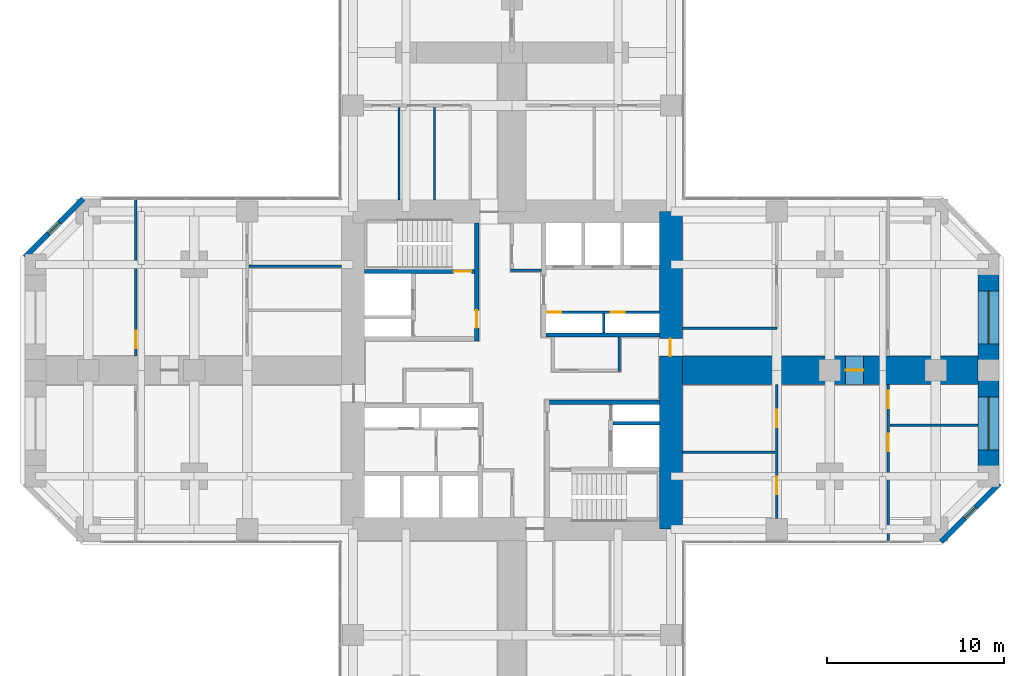
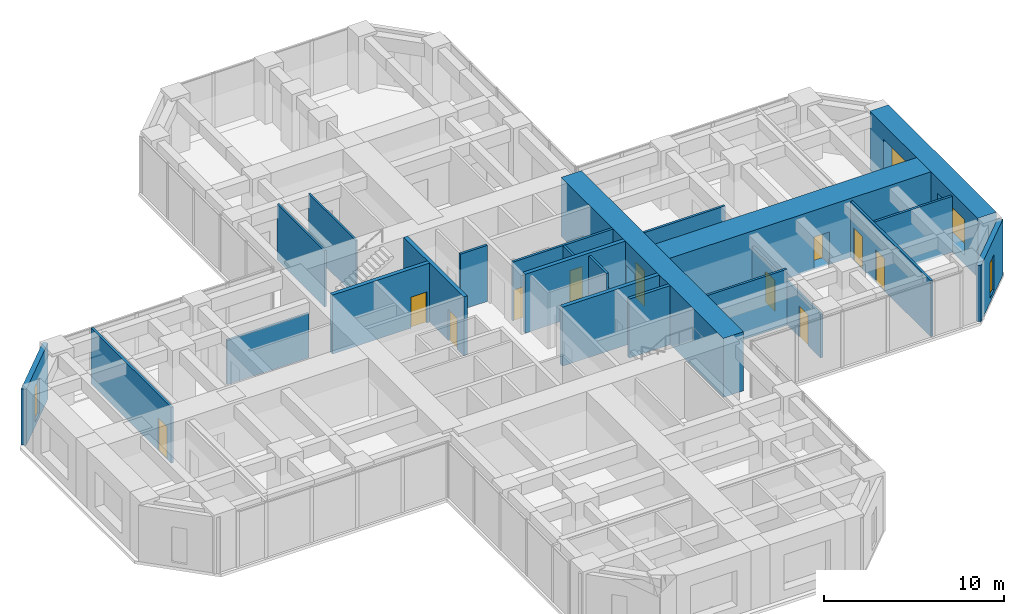
# One storey, part 10 of 13: 23 walls, 11 doors, 4 windows, 15 openings.
"""IFC4 building model written with IfcOpenShell, lengths in metres."""

from ifc_helpers import new_model, si_unit, direction, frame, frame_2d, origin, place, context, subcontext, project, spatial, rectangle, hollow_rectangle, extrude, material, layer, layer_set, constituent, constituent_set, type_object, element, fill, save


model = new_model("IFC4")

# Units and contexts
model_context = context("Model", 3, precision=1e-05, world=origin(), true_north=direction((0.0, 1.0)))
body_context = subcontext(model_context, "Body", "Model", "MODEL_VIEW")
ifc_project = project(units=[si_unit("LENGTHUNIT", "METRE"), si_unit("AREAUNIT", "SQUARE_METRE"), si_unit("VOLUMEUNIT", "CUBIC_METRE"), si_unit("PLANEANGLEUNIT", "RADIAN"), si_unit("MASSUNIT", "GRAM", prefix="KILO")], contexts=[model_context])

# Site, building, storey
site_placement = place(None, origin())
site = spatial("IfcSite", under=ifc_project, at=site_placement, CompositionType="ELEMENT")
building_placement = place(site_placement, origin())
building = spatial("IfcBuilding", under=site, at=building_placement, Name="Torre Cruceta", CompositionType="ELEMENT")
storey_placement = place(building_placement, frame((0.0, 0.0, 23.5)))
storey = spatial("IfcBuildingStorey", under=building, at=storey_placement, Name="L05", CompositionType="ELEMENT", Elevation=23.5)

# Wall
ifc_material_1 = material(Name="Concrete G60 (fck 60 MPa)", Category="concrete")
ifc_layer_1 = layer(ifc_material_1, 0.25)
ifc_layer_set_1 = layer_set([ifc_layer_1], Name="Concrete G60 (fck 60 MPa)")
wall_type_1 = type_object("IfcWallType", Name="CORE INNER WALL 250 G60", PredefinedType="SHEAR", material=ifc_layer_set_1)
wall_1_placement = place(storey_placement, frame((1.925048828125, 2.0, 0.0), z_axis=(0.0, 0.0, 1.0), x_axis=(1.0, 0.0, 0.0)))
element("IfcWall", 1, at=wall_1_placement, inside=storey, type_object=wall_type_1, Name="CW4 L05 NE-CV", PredefinedType="SHEAR", context=body_context, shape_type="SweptSolid", body=[
    extrude(rectangle(XDim=6.425048828125, YDim=0.25, at=frame_2d((3.21240234375, 0.0))), origin(), (0.0, 0.0, 1.0), 4.0),
])

# Wall, opening, door
wall_2_placement = place(storey_placement, frame((-2.0, 1.675048828125, 0.0), z_axis=(0.0, 0.0, 1.0), x_axis=(0.0, 1.0, 0.0)))
wall_2 = element("IfcWall", 2, at=wall_2_placement, inside=storey, type_object=wall_type_1, Name="CW4 L05 NW-CU", PredefinedType="SHEAR", context=body_context, shape_type="SweptSolid", body=[
    extrude(rectangle(XDim=6.675048828125, YDim=0.25, at=frame_2d((3.33740234375, 0.0))), origin(), (0.0, 0.0, 1.0), 4.0),
])
opening_1_placement = place(wall_2_placement, frame((0.72509765625, 0.0, 0.0)))
opening_1 = element("IfcOpeningElement", 3, at=opening_1_placement, cuts=wall_2, Name="Opening D3", PredefinedType="OPENING", context=body_context, shape_type="SweptSolid", body=[
    extrude(rectangle(XDim=1.0, YDim=2.10009765625, at=frame_2d((0.5, 1.050048828125))), frame((0.0, 0.135009765625, 0.0), z_axis=(0.0, -1.0, 0.0), x_axis=(1.0, 0.0, 0.0)), (0.0, 0.0, 1.0), 0.27001953125),
])
ifc_material_2 = material(Name="Steel DX51D", Category="steel")
ifc_constituent_1 = constituent(ifc_material_2, Name="Leaf and frame")
ifc_material_3 = material(Name="Polyester powder coating", Category="paint")
ifc_constituent_2 = constituent(ifc_material_3, Name="Finish")
ifc_constituent_set_1 = constituent_set(constituents=[ifc_constituent_1, ifc_constituent_2], Name="Steel fire door")
door_type_1 = type_object("IfcDoorType", Name="FIRE DOOR 1000X2100", OperationType="SINGLE_SWING_LEFT", PredefinedType="DOOR", material=ifc_constituent_set_1)
door_1_placement = place(opening_1_placement, origin())
door_1 = element("IfcDoor", 4, at=door_1_placement, inside=storey, type_object=door_type_1, Name="D3 L05 NW-LOBBY", OperationType="SINGLE_SWING_LEFT", OverallHeight=2.10009765625, OverallWidth=1.0, PredefinedType="DOOR", context=body_context, shape_type="SweptSolid", body=[
    extrude(rectangle(XDim=1.0, YDim=2.10009765625, at=frame_2d((0.5, 1.050048828125))), frame((0.0, 0.02490234375, 0.0), z_axis=(0.0, -1.0, 0.0), x_axis=(1.0, 0.0, 0.0)), (0.0, 0.0, 1.0), 0.050048828125),
])
fill(opening_1, door_1)

wall_3_placement = place(storey_placement, frame((-2.125, 5.60009765625, 0.0), z_axis=(0.0, 0.0, 1.0), x_axis=(-1.0, 0.0, 0.0)))
wall_3 = element("IfcWall", 5, at=wall_3_placement, inside=storey, type_object=wall_type_1, Name="CW4 L05 NW-SV", PredefinedType="SHEAR", context=body_context, shape_type="SweptSolid", body=[
    extrude(rectangle(XDim=6.22509765625, YDim=0.25, at=frame_2d((3.112548828125, 0.0))), origin(), (0.0, 0.0, 1.0), 4.0),
])
opening_2_placement = place(wall_3_placement, frame((0.175048828125, 0.0, 0.0)))
opening_2 = element("IfcOpeningElement", 6, at=opening_2_placement, cuts=wall_3, Name="Opening D3", PredefinedType="OPENING", context=body_context, shape_type="SweptSolid", body=[
    extrude(rectangle(XDim=1.0, YDim=2.10009765625, at=frame_2d((0.5, 1.050048828125))), frame((0.0, 0.135009765625, 0.0), z_axis=(0.0, -1.0, 0.0), x_axis=(1.0, 0.0, 0.0)), (0.0, 0.0, 1.0), 0.27001953125),
])
door_2_placement = place(opening_2_placement, frame((1.0, 0.0, 0.0), z_axis=(0.0, 0.0, 1.0), x_axis=(-1.0, 0.0, 0.0)))
door_2 = element("IfcDoor", 7, at=door_2_placement, inside=storey, type_object=door_type_1, Name="D3 L05 NW-STAIR", OperationType="SINGLE_SWING_RIGHT", OverallHeight=2.10009765625, OverallWidth=1.0, PredefinedType="DOOR", context=body_context, shape_type="SweptSolid", body=[
    extrude(rectangle(XDim=1.0, YDim=2.10009765625, at=frame_2d((0.5, 1.050048828125))), frame((0.0, 0.025146484375, 0.0), z_axis=(0.0, -1.0, 0.0), x_axis=(1.0, 0.0, 0.0)), (0.0, 0.0, 1.0), 0.050048828125),
])
fill(opening_2, door_2)

# Wall
wall_4_placement = place(storey_placement, frame((2.125, -1.800048828125, 0.0), z_axis=(0.0, 0.0, 1.0), x_axis=(1.0, 0.0, 0.0)))
element("IfcWall", 8, at=wall_4_placement, inside=storey, type_object=wall_type_1, Name="CW4 L05 SE-CV", PredefinedType="SHEAR", context=body_context, shape_type="SweptSolid", body=[
    extrude(rectangle(XDim=6.22509765625, YDim=0.25, at=frame_2d((3.112548828125, 0.0))), origin(), (0.0, 0.0, 1.0), 4.0),
])

# Wall, opening, door
ifc_material_4 = material(Name="Concrete G60 (fck 60 MPa)", Category="concrete")
ifc_layer_2 = layer(ifc_material_4, 1.300048828125)
ifc_layer_set_2 = layer_set([ifc_layer_2], Name="Concrete G60 (fck 60 MPa)")
wall_type_2 = type_object("IfcWallType", Name="CORE WALL 1300 G60", PredefinedType="SHEAR", material=ifc_layer_set_2)
wall_5_placement = place(storey_placement, frame((9.0, -9.0, 0.0), z_axis=(0.0, 0.0, 1.0), x_axis=(0.0, 1.0, 0.0)))
wall_5 = element("IfcWall", 9, at=wall_5_placement, inside=storey, type_object=wall_type_2, Name="CW1 L05 CW-E", PredefinedType="SHEAR", context=body_context, shape_type="SweptSolid", body=[
    extrude(rectangle(XDim=18.0, YDim=1.300048828125, at=frame_2d((9.0, 0.0))), origin(), (0.0, 0.0, 1.0), 4.0),
])
opening_3_placement = place(wall_5_placement, frame((9.800048828125, 0.0, 0.0)))
opening_3 = element("IfcOpeningElement", 10, at=opening_3_placement, cuts=wall_5, Name="Opening D4", PredefinedType="OPENING", context=body_context, shape_type="SweptSolid", body=[
    extrude(rectangle(XDim=1.0, YDim=2.39990234375, at=frame_2d((0.5, 1.199951171875))), frame((0.0, 0.659912109375, 0.0), z_axis=(0.0, -1.0, 0.0), x_axis=(1.0, 0.0, 0.0)), (0.0, 0.0, 1.0), 1.320068359375),
])
ifc_material_5 = material(Name="Steel DX51D", Category="steel")
ifc_constituent_3 = constituent(ifc_material_5, Name="Leaf and frame")
ifc_material_6 = material(Name="Polyester powder coating", Category="paint")
ifc_constituent_4 = constituent(ifc_material_6, Name="Finish")
ifc_constituent_set_2 = constituent_set(constituents=[ifc_constituent_3, ifc_constituent_4], Name="Steel fire door")
door_type_2 = type_object("IfcDoorType", Name="CORE ARM DOOR 1000X2400", OperationType="SINGLE_SWING_RIGHT", PredefinedType="DOOR", material=ifc_constituent_set_2)
door_3_placement = place(opening_3_placement, frame((1.0, 0.0, 0.0), z_axis=(0.0, 0.0, 1.0), x_axis=(-1.0, 0.0, 0.0)))
door_3 = element("IfcDoor", 11, at=door_3_placement, inside=storey, type_object=door_type_2, Name="D4 L05 CW-E", OperationType="SINGLE_SWING_RIGHT", OverallHeight=2.39990234375, OverallWidth=1.0, PredefinedType="DOOR", context=body_context, shape_type="SweptSolid", body=[
    extrude(rectangle(XDim=1.0, YDim=2.39990234375, at=frame_2d((0.5, 1.199951171875))), frame((0.0, -0.005126953125, 0.0), z_axis=(0.0, -1.0, 0.0), x_axis=(1.0, 0.0, 0.0)), (0.0, 0.0, 1.0), 0.050048828125),
])
fill(opening_3, door_3)

# Wall, opening, window
ifc_material_7 = material(Name="Concrete G30 (fck 30 MPa)", Category="concrete")
ifc_layer_3 = layer(ifc_material_7, 0.300048828125)
ifc_layer_set_3 = layer_set([ifc_layer_3], Name="Concrete G30 (fck 30 MPa)")
wall_type_3 = type_object("IfcWallType", Name="EXPOSED CONCRETE FACADE WALL 300", PredefinedType="SOLIDWALL", material=ifc_layer_set_3)
wall_6_placement = place(storey_placement, frame((24.29833984375, -9.719970703125, 0.0), z_axis=(0.0, 0.0, 1.0), x_axis=(0.707106781187, 0.707106781187, 0.0)))
wall_6 = element("IfcWall", 12, at=wall_6_placement, inside=storey, type_object=wall_type_3, Name="EW1 facade wall L05 E chamfer 01", PredefinedType="SOLIDWALL", context=body_context, shape_type="SweptSolid", body=[
    extrude(rectangle(XDim=4.66943359375, YDim=0.300048828125, at=frame_2d((2.334716796875, 0.0))), origin(), (0.0, 0.0, 1.0), 3.800048828125),
])
opening_4_placement = place(wall_6_placement, frame((1.884765625, 0.0, 0.300048828125)))
opening_4 = element("IfcOpeningElement", 13, at=opening_4_placement, cuts=wall_6, Name="Opening WN5", PredefinedType="OPENING", context=body_context, shape_type="SweptSolid", body=[
    extrude(rectangle(XDim=0.89990234375, YDim=2.39990234375, at=frame_2d((0.449951171875, 1.199951171875))), frame((0.0, 0.159912109375, 0.0), z_axis=(0.0, -1.0, 0.0), x_axis=(1.0, 0.0, 0.0)), (0.0, 0.0, 1.0), 0.320068359375),
])
ifc_material_8 = material(Name="Aluminium window frame", Category="aluminium")
ifc_constituent_5 = constituent(ifc_material_8, Name="Frame")
ifc_material_9 = material(Name="Laminated insulating glass unit, low-iron clear", Category="glass")
ifc_constituent_6 = constituent(ifc_material_9, Name="Glazing")
ifc_constituent_set_3 = constituent_set(constituents=[ifc_constituent_5, ifc_constituent_6], Name="Aluminium window")
window_type_1 = type_object("IfcWindowType", Name="CHAMFER SLOT WINDOW 900X2400", PartitioningType="SINGLE_PANEL", PredefinedType="WINDOW", material=ifc_constituent_set_3)
window_1_placement = place(opening_4_placement, origin())
window_1 = element("IfcWindow", 14, at=window_1_placement, inside=storey, type_object=window_type_1, Name="WN5 L05 E 1", OverallHeight=2.39990234375, OverallWidth=0.89990234375, PartitioningType="SINGLE_PANEL", PredefinedType="WINDOW", context=body_context, shape_type="SweptSolid", body=[
    extrude(hollow_rectangle(XDim=0.89990234375, YDim=2.39990234375, WallThickness=0.06005859375, at=frame_2d((0.449951171875, 1.199951171875))), frame((0.0, 0.030029296875, 0.0), z_axis=(0.0, -1.0, 0.0), x_axis=(1.0, 0.0, 0.0)), (0.0, 0.0, 1.0), 0.06005859375),
    extrude(rectangle(XDim=0.77880859375, YDim=2.27880859375, at=frame_2d((0.449951171875, 1.199951171875))), frame((0.0, 0.030029296875, 0.0), z_axis=(0.0, -1.0, 0.0), x_axis=(1.0, 0.0, 0.0)), (0.0, 0.0, 1.0), 0.06005859375),
])
fill(opening_4, window_1)

wall_7_placement = place(storey_placement, frame((-24.29833984375, 9.719970703125, 0.0), z_axis=(0.0, 0.0, 1.0), x_axis=(-0.707106781187, -0.707106781187, 0.0)))
wall_7 = element("IfcWall", 15, at=wall_7_placement, inside=storey, type_object=wall_type_3, Name="EW1 facade wall L05 W chamfer 11", PredefinedType="SOLIDWALL", context=body_context, shape_type="SweptSolid", body=[
    extrude(rectangle(XDim=4.66943359375, YDim=0.300048828125, at=frame_2d((2.334716796875, 0.0))), origin(), (0.0, 0.0, 1.0), 3.800048828125),
])
opening_5_placement = place(wall_7_placement, frame((1.884765625, 0.0, 0.300048828125)))
opening_5 = element("IfcOpeningElement", 16, at=opening_5_placement, cuts=wall_7, Name="Opening WN5", PredefinedType="OPENING", context=body_context, shape_type="SweptSolid", body=[
    extrude(rectangle(XDim=0.89990234375, YDim=2.39990234375, at=frame_2d((0.449951171875, 1.199951171875))), frame((0.0, 0.159912109375, 0.0), z_axis=(0.0, -1.0, 0.0), x_axis=(1.0, 0.0, 0.0)), (0.0, 0.0, 1.0), 0.320068359375),
])
window_2_placement = place(opening_5_placement, origin())
window_2 = element("IfcWindow", 17, at=window_2_placement, inside=storey, type_object=window_type_1, Name="WN5 L05 W 1", OverallHeight=2.39990234375, OverallWidth=0.89990234375, PartitioningType="SINGLE_PANEL", PredefinedType="WINDOW", context=body_context, shape_type="SweptSolid", body=[
    extrude(hollow_rectangle(XDim=0.89990234375, YDim=2.39990234375, WallThickness=0.06005859375, at=frame_2d((0.449951171875, 1.199951171875))), frame((0.0, 0.030029296875, 0.0), z_axis=(0.0, -1.0, 0.0), x_axis=(1.0, 0.0, 0.0)), (0.0, 0.0, 1.0), 0.06005859375),
    extrude(rectangle(XDim=0.77880859375, YDim=2.27880859375, at=frame_2d((0.449951171875, 1.199951171875))), frame((0.0, 0.030029296875, 0.0), z_axis=(0.0, -1.0, 0.0), x_axis=(1.0, 0.0, 0.0)), (0.0, 0.0, 1.0), 0.06005859375),
])
fill(opening_5, window_2)

# Wall
ifc_material_10 = material(Name="Concrete G35 (fck 35 MPa)", Category="concrete")
ifc_layer_4 = layer(ifc_material_10, 0.199951171875)
ifc_layer_set_4 = layer_set([ifc_layer_4], Name="Concrete G35 (fck 35 MPa)")
wall_type_4 = type_object("IfcWallType", Name="LIFT SHAFT WALL 200", PredefinedType="PARTITIONING", material=ifc_layer_set_4)
wall_8_placement = place(storey_placement, frame((5.72509765625, -3.0, 0.0), z_axis=(0.0, 0.0, 1.0), x_axis=(1.0, 0.0, 0.0)))
element("IfcWall", 18, at=wall_8_placement, inside=storey, type_object=wall_type_4, Name="SW1 L05 SE-FR", PredefinedType="PARTITIONING", context=body_context, shape_type="SweptSolid", body=[
    extrude(rectangle(XDim=2.625, YDim=0.199951171875, at=frame_2d((1.3125, 0.0))), origin(), (0.0, 0.0, 1.0), 4.0),
])

# Wall, openings, windows
ifc_material_11 = material(Name="Concrete G60 (fck 60 MPa)", Category="concrete")
ifc_layer_5 = layer(ifc_material_11, 1.199951171875)
ifc_layer_set_5 = layer_set([ifc_layer_5], Name="Concrete G60 (fck 60 MPa)")
wall_type_5 = type_object("IfcWallType", Name="NOSE WALL 1200 G60", PredefinedType="SHEAR", material=ifc_layer_set_5)
wall_9_placement = place(storey_placement, frame((27.0, -6.0, 0.0), z_axis=(0.0, 0.0, 1.0), x_axis=(0.0, 1.0, 0.0)))
wall_9 = element("IfcWall", 19, at=wall_9_placement, inside=storey, type_object=wall_type_5, Name="NW1 nose wall L05 E", PredefinedType="SHEAR", context=body_context, shape_type="SweptSolid", body=[
    extrude(rectangle(XDim=12.0, YDim=1.199951171875, at=frame_2d((6.0, 0.0))), origin(), (0.0, 0.0, 1.0), 4.0),
])
opening_6_placement = place(wall_9_placement, frame((1.5, 0.0, 0.60009765625)))
opening_6 = element("IfcOpeningElement", 20, at=opening_6_placement, cuts=wall_9, Name="Opening WN6", PredefinedType="OPENING", context=body_context, shape_type="SweptSolid", body=[
    extrude(rectangle(XDim=3.0, YDim=2.39990234375, at=frame_2d((1.5, 1.199951171875))), frame((0.0, 0.60986328125, 0.0), z_axis=(0.0, -1.0, 0.0), x_axis=(1.0, 0.0, 0.0)), (0.0, 0.0, 1.0), 1.219970703125),
])
opening_7_placement = place(wall_9_placement, frame((7.5, 0.0, 0.60009765625)))
opening_7 = element("IfcOpeningElement", 21, at=opening_7_placement, cuts=wall_9, Name="Opening WN6", PredefinedType="OPENING", context=body_context, shape_type="SweptSolid", body=[
    extrude(rectangle(XDim=3.0, YDim=2.39990234375, at=frame_2d((1.5, 1.199951171875))), frame((0.0, 0.60986328125, 0.0), z_axis=(0.0, -1.0, 0.0), x_axis=(1.0, 0.0, 0.0)), (0.0, 0.0, 1.0), 1.219970703125),
])
ifc_material_12 = material(Name="Aluminium window frame", Category="aluminium")
ifc_constituent_7 = constituent(ifc_material_12, Name="Frame")
ifc_material_13 = material(Name="Laminated insulating glass unit, low-iron clear", Category="glass")
ifc_constituent_8 = constituent(ifc_material_13, Name="Glazing")
ifc_constituent_set_4 = constituent_set(constituents=[ifc_constituent_7, ifc_constituent_8], Name="Aluminium window")
window_type_2 = type_object("IfcWindowType", Name="NOSE WALL WINDOW 3000X2400", PartitioningType="SINGLE_PANEL", PredefinedType="WINDOW", material=ifc_constituent_set_4)
window_3_placement = place(opening_6_placement, origin())
window_3 = element("IfcWindow", 22, at=window_3_placement, inside=storey, type_object=window_type_2, Name="WN6 L05 E 1", OverallHeight=2.39990234375, OverallWidth=3.0, PartitioningType="SINGLE_PANEL", PredefinedType="WINDOW", context=body_context, shape_type="SweptSolid", body=[
    extrude(hollow_rectangle(XDim=3.0, YDim=2.39990234375, WallThickness=0.06005859375, at=frame_2d((1.5, 1.199951171875))), frame((0.0, 0.030029296875, 0.0), z_axis=(0.0, -1.0, 0.0), x_axis=(1.0, 0.0, 0.0)), (0.0, 0.0, 1.0), 0.06005859375),
    extrude(rectangle(XDim=2.87890625, YDim=2.27880859375, at=frame_2d((1.5, 1.199951171875))), frame((0.0, 0.030029296875, 0.0), z_axis=(0.0, -1.0, 0.0), x_axis=(1.0, 0.0, 0.0)), (0.0, 0.0, 1.0), 0.06005859375),
])
fill(opening_6, window_3)
window_4_placement = place(opening_7_placement, origin())
window_4 = element("IfcWindow", 23, at=window_4_placement, inside=storey, type_object=window_type_2, Name="WN6 L05 E 2", OverallHeight=2.39990234375, OverallWidth=3.0, PartitioningType="SINGLE_PANEL", PredefinedType="WINDOW", context=body_context, shape_type="SweptSolid", body=[
    extrude(hollow_rectangle(XDim=3.0, YDim=2.39990234375, WallThickness=0.06005859375, at=frame_2d((1.5, 1.199951171875))), frame((0.0, 0.030029296875, 0.0), z_axis=(0.0, -1.0, 0.0), x_axis=(1.0, 0.0, 0.0)), (0.0, 0.0, 1.0), 0.06005859375),
    extrude(rectangle(XDim=2.87890625, YDim=2.27880859375, at=frame_2d((1.5, 1.199951171875))), frame((0.0, 0.030029296875, 0.0), z_axis=(0.0, -1.0, 0.0), x_axis=(1.0, 0.0, 0.0)), (0.0, 0.0, 1.0), 0.06005859375),
])
fill(opening_7, window_4)

# Walls
ifc_material_14 = material(Name="Plasterboard on steel studs", Category="steel")
ifc_layer_6 = layer(ifc_material_14, 0.14990234375)
ifc_layer_set_6 = layer_set([ifc_layer_6], Name="Plasterboard on steel studs")
wall_type_6 = type_object("IfcWallType", Name="PARTITION 150", PredefinedType="PARTITIONING", material=ifc_layer_set_6)
wall_10_placement = place(storey_placement, frame((6.074951171875, -0.074951171875, 0.0), z_axis=(0.0, 0.0, 1.0), x_axis=(0.0, 1.0, 0.0)))
element("IfcWall", 24, at=wall_10_placement, inside=storey, type_object=wall_type_6, Name="PT1 L05-CORE-LEGE-N-W3", PredefinedType="PARTITIONING", context=body_context, shape_type="SweptSolid", body=[
    extrude(rectangle(XDim=1.949951171875, YDim=0.14990234375, at=frame_2d((0.97509765625, 0.0))), origin(), (0.0, 0.0, 1.0), 3.800048828125),
])
wall_11_placement = place(storey_placement, frame((1.675048828125, 5.675048828125, 0.0), z_axis=(0.0, 0.0, 1.0), x_axis=(-1.0, 0.0, 0.0)))
element("IfcWall", 25, at=wall_11_placement, inside=storey, type_object=wall_type_6, Name="PT1 L05-CORE-LEGN-E-W2", PredefinedType="PARTITIONING", context=body_context, shape_type="SweptSolid", body=[
    extrude(rectangle(XDim=1.75, YDim=0.14990234375, at=frame_2d((0.875, 0.0))), origin(), (0.0, 0.0, 1.0), 3.800048828125),
])
wall_12_placement = place(storey_placement, frame((9.64990234375, 2.375, 0.0), z_axis=(0.0, 0.0, 1.0), x_axis=(1.0, 0.0, 0.0)))
element("IfcWall", 26, at=wall_12_placement, inside=storey, type_object=wall_type_6, Name="PT1 L05-E-BSL", PredefinedType="PARTITIONING", context=body_context, shape_type="SweptSolid", body=[
    extrude(rectangle(XDim=5.35009765625, YDim=0.14990234375, at=frame_2d((2.675048828125, 0.0))), origin(), (0.0, 0.0, 1.0), 3.800048828125),
])

# Wall, openings, doors
wall_13_placement = place(storey_placement, frame((15.0, -8.39990234375, 0.0), z_axis=(0.0, 0.0, 1.0), x_axis=(0.0, 1.0, 0.0)))
wall_13 = element("IfcWall", 27, at=wall_13_placement, inside=storey, type_object=wall_type_6, Name="PT1 L05-E-BFR", PredefinedType="PARTITIONING", context=body_context, shape_type="SweptSolid", body=[
    extrude(rectangle(XDim=7.599853515625, YDim=0.14990234375, at=frame_2d((3.7998046875, 0.0))), origin(), (0.0, 0.0, 1.0), 2.949951171875),
])
opening_8_placement = place(wall_13_placement, frame((1.375, 0.0, 0.0)))
opening_8 = element("IfcOpeningElement", 28, at=opening_8_placement, cuts=wall_13, Name="Opening D3", PredefinedType="OPENING", context=body_context, shape_type="SweptSolid", body=[
    extrude(rectangle(XDim=1.0, YDim=2.10009765625, at=frame_2d((0.5, 1.050048828125))), frame((0.0, 0.0849609375, 0.0), z_axis=(0.0, -1.0, 0.0), x_axis=(1.0, 0.0, 0.0)), (0.0, 0.0, 1.0), 0.169921875),
])
opening_9_placement = place(wall_13_placement, frame((5.175048828125, 0.0, 0.0)))
opening_9 = element("IfcOpeningElement", 29, at=opening_9_placement, cuts=wall_13, Name="Opening D3", PredefinedType="OPENING", context=body_context, shape_type="SweptSolid", body=[
    extrude(rectangle(XDim=1.0, YDim=2.10009765625, at=frame_2d((0.5, 1.050048828125))), frame((0.0, 0.0849609375, 0.0), z_axis=(0.0, -1.0, 0.0), x_axis=(1.0, 0.0, 0.0)), (0.0, 0.0, 1.0), 0.169921875),
])
door_4_placement = place(opening_8_placement, origin())
door_4 = element("IfcDoor", 30, at=door_4_placement, inside=storey, type_object=door_type_1, Name="D3 L05-E-BFR-D1", OperationType="SINGLE_SWING_RIGHT", OverallHeight=2.10009765625, OverallWidth=1.0, PredefinedType="DOOR", context=body_context, shape_type="SweptSolid", body=[
    extrude(rectangle(XDim=1.0, YDim=2.10009765625, at=frame_2d((0.5, 1.050048828125))), frame((0.0, 0.02490234375, 0.0), z_axis=(0.0, -1.0, 0.0), x_axis=(1.0, 0.0, 0.0)), (0.0, 0.0, 1.0), 0.050048828125),
])
fill(opening_8, door_4)
door_5_placement = place(opening_9_placement, origin())
door_5 = element("IfcDoor", 31, at=door_5_placement, inside=storey, type_object=door_type_1, Name="D3 L05-E-BFR-D2", OperationType="SINGLE_SWING_LEFT", OverallHeight=2.10009765625, OverallWidth=1.0, PredefinedType="DOOR", context=body_context, shape_type="SweptSolid", body=[
    extrude(rectangle(XDim=1.0, YDim=2.10009765625, at=frame_2d((0.5, 1.050048828125))), frame((0.0, 0.02490234375, 0.0), z_axis=(0.0, -1.0, 0.0), x_axis=(1.0, 0.0, 0.0)), (0.0, 0.0, 1.0), 0.050048828125),
])
fill(opening_9, door_5)

# Walls
wall_14_placement = place(storey_placement, frame((9.64990234375, -4.64990234375, 0.0), z_axis=(0.0, 0.0, 1.0), x_axis=(1.0, 0.0, 0.0)))
element("IfcWall", 32, at=wall_14_placement, inside=storey, type_object=wall_type_6, Name="PT1 L05-E-BDR1", PredefinedType="PARTITIONING", context=body_context, shape_type="SweptSolid", body=[
    extrude(rectangle(XDim=5.25, YDim=0.14990234375, at=frame_2d((2.625, 0.0))), origin(), (0.0, 0.0, 1.0), 3.800048828125),
])
wall_15_placement = place(storey_placement, frame((21.419921875, -3.117919921875, 0.0), z_axis=(0.0, 0.0, 1.0), x_axis=(1.0, 0.0, 0.0)))
element("IfcWall", 33, at=wall_15_placement, inside=storey, type_object=wall_type_6, Name="PT1 L05-E-TDR", PredefinedType="PARTITIONING", context=body_context, shape_type="SweptSolid", body=[
    extrude(rectangle(XDim=4.97998046875, YDim=0.14990234375, at=frame_2d((2.489990234375, 0.0))), origin(), (0.0, 0.0, 1.0), 3.800048828125),
])

# Wall, openings, doors
wall_16_placement = place(storey_placement, frame((21.320068359375, -9.679931640625, 0.0), z_axis=(0.0, 0.0, 1.0), x_axis=(0.0, 1.0, 0.0)))
wall_16 = element("IfcWall", 34, at=wall_16_placement, inside=storey, type_object=wall_type_6, Name="PT1 L05-E-TWR", PredefinedType="PARTITIONING", context=body_context, shape_type="SweptSolid", body=[
    extrude(rectangle(XDim=8.8798828125, YDim=0.14990234375, at=frame_2d((4.43994140625, 0.0))), origin(), (0.0, 0.0, 1.0), 3.800048828125),
])
opening_10_placement = place(wall_16_placement, frame((5.0869140625, 0.0, 0.0)))
opening_10 = element("IfcOpeningElement", 35, at=opening_10_placement, cuts=wall_16, Name="Opening D14", PredefinedType="OPENING", context=body_context, shape_type="SweptSolid", body=[
    extrude(rectangle(XDim=1.0, YDim=2.199951171875, at=frame_2d((0.5, 1.10009765625))), frame((0.0, 0.0849609375, 0.0), z_axis=(0.0, -1.0, 0.0), x_axis=(1.0, 0.0, 0.0)), (0.0, 0.0, 1.0), 0.169921875),
])
opening_11_placement = place(wall_16_placement, frame((7.530029296875, 0.0, 0.0)))
opening_11 = element("IfcOpeningElement", 36, at=opening_11_placement, cuts=wall_16, Name="Opening D14", PredefinedType="OPENING", context=body_context, shape_type="SweptSolid", body=[
    extrude(rectangle(XDim=1.0, YDim=2.199951171875, at=frame_2d((0.5, 1.10009765625))), frame((0.0, 0.0849609375, 0.0), z_axis=(0.0, -1.0, 0.0), x_axis=(1.0, 0.0, 0.0)), (0.0, 0.0, 1.0), 0.169921875),
])
ifc_material_15 = material(Name="Steel DX51D", Category="steel")
ifc_constituent_9 = constituent(ifc_material_15, Name="Leaf and frame")
ifc_material_16 = material(Name="Polyester powder coating", Category="paint")
ifc_constituent_10 = constituent(ifc_material_16, Name="Finish")
ifc_material_17 = material(Name="Fire-resisting glass", Category="glass")
ifc_constituent_11 = constituent(ifc_material_17, Name="Vision panel")
ifc_constituent_set_5 = constituent_set(constituents=[ifc_constituent_9, ifc_constituent_10, ifc_constituent_11], Name="Steel fire door with vision panel")
door_type_3 = type_object("IfcDoorType", Name="FIRE DOOR VISION PANEL 1000X2200", OperationType="SINGLE_SWING_RIGHT", PredefinedType="DOOR", material=ifc_constituent_set_5)
door_6_placement = place(opening_10_placement, frame((1.0, 0.0, 0.0), z_axis=(0.0, 0.0, 1.0), x_axis=(-1.0, 0.0, 0.0)))
door_6 = element("IfcDoor", 37, at=door_6_placement, inside=storey, type_object=door_type_3, Name="D14 L05-E-TWR-D1", OperationType="SINGLE_SWING_LEFT", OverallHeight=2.199951171875, OverallWidth=1.0, PredefinedType="DOOR", context=body_context, shape_type="SweptSolid", body=[
    extrude(rectangle(XDim=1.0, YDim=2.199951171875, at=frame_2d((0.5, 1.10009765625))), frame((0.0, 0.025146484375, 0.0), z_axis=(0.0, -1.0, 0.0), x_axis=(1.0, 0.0, 0.0)), (0.0, 0.0, 1.0), 0.050048828125),
])
fill(opening_10, door_6)
door_7_placement = place(opening_11_placement, frame((1.0, 0.0, 0.0), z_axis=(0.0, 0.0, 1.0), x_axis=(-1.0, 0.0, 0.0)))
door_7 = element("IfcDoor", 38, at=door_7_placement, inside=storey, type_object=door_type_3, Name="D14 L05-E-TWR-D2", OperationType="SINGLE_SWING_LEFT", OverallHeight=2.199951171875, OverallWidth=1.0, PredefinedType="DOOR", context=body_context, shape_type="SweptSolid", body=[
    extrude(rectangle(XDim=1.0, YDim=2.199951171875, at=frame_2d((0.5, 1.10009765625))), frame((0.0, 0.025146484375, 0.0), z_axis=(0.0, -1.0, 0.0), x_axis=(1.0, 0.0, 0.0)), (0.0, 0.0, 1.0), 0.050048828125),
])
fill(opening_11, door_7)

# Wall
wall_17_placement = place(storey_placement, frame((-9.64990234375, 5.89990234375, 0.0), z_axis=(0.0, 0.0, 1.0), x_axis=(-1.0, 0.0, 0.0)))
element("IfcWall", 39, at=wall_17_placement, inside=storey, type_object=wall_type_6, Name="PT1 L05-W-BDR2", PredefinedType="PARTITIONING", context=body_context, shape_type="SweptSolid", body=[
    extrude(rectangle(XDim=5.25, YDim=0.14990234375, at=frame_2d((2.625, 0.0))), origin(), (0.0, 0.0, 1.0), 3.0),
])

# Wall, opening, door
wall_18_placement = place(storey_placement, frame((-21.320068359375, 9.679931640625, 0.0), z_axis=(0.0, 0.0, 1.0), x_axis=(0.0, -1.0, 0.0)))
wall_18 = element("IfcWall", 40, at=wall_18_placement, inside=storey, type_object=wall_type_6, Name="PT1 L05-W-TWR", PredefinedType="PARTITIONING", context=body_context, shape_type="SweptSolid", body=[
    extrude(rectangle(XDim=8.8798828125, YDim=0.14990234375, at=frame_2d((4.43994140625, 0.0))), origin(), (0.0, 0.0, 1.0), 3.800048828125),
])
opening_12_placement = place(wall_18_placement, frame((7.429931640625, 0.0, 0.0)))
opening_12 = element("IfcOpeningElement", 41, at=opening_12_placement, cuts=wall_18, Name="Opening D14", PredefinedType="OPENING", context=body_context, shape_type="SweptSolid", body=[
    extrude(rectangle(XDim=1.0, YDim=2.199951171875, at=frame_2d((0.5, 1.10009765625))), frame((0.0, 0.0849609375, 0.0), z_axis=(0.0, -1.0, 0.0), x_axis=(1.0, 0.0, 0.0)), (0.0, 0.0, 1.0), 0.169921875),
])
door_8_placement = place(opening_12_placement, frame((1.0, 0.0, 0.0), z_axis=(0.0, 0.0, 1.0), x_axis=(-1.0, 0.0, 0.0)))
door_8 = element("IfcDoor", 42, at=door_8_placement, inside=storey, type_object=door_type_3, Name="D14 L05-W-TWR-D1", OperationType="SINGLE_SWING_LEFT", OverallHeight=2.199951171875, OverallWidth=1.0, PredefinedType="DOOR", context=body_context, shape_type="SweptSolid", body=[
    extrude(rectangle(XDim=1.0, YDim=2.199951171875, at=frame_2d((0.5, 1.10009765625))), frame((0.0, 0.025146484375, 0.0), z_axis=(0.0, -1.0, 0.0), x_axis=(1.0, 0.0, 0.0)), (0.0, 0.0, 1.0), 0.050048828125),
])
fill(opening_12, door_8)

# Wall, openings, doors
ifc_material_18 = material(Name="Concrete block masonry", Category="masonry")
ifc_layer_7 = layer(ifc_material_18, 0.14990234375)
ifc_layer_set_7 = layer_set([ifc_layer_7], Name="Concrete block masonry")
wall_type_7 = type_object("IfcWallType", Name="RISER WALL 150", PredefinedType="PARTITIONING", material=ifc_layer_set_7)
wall_19_placement = place(storey_placement, frame((1.925048828125, 3.300048828125, 0.0), z_axis=(0.0, 0.0, 1.0), x_axis=(1.0, 0.0, 0.0)))
wall_19 = element("IfcWall", 43, at=wall_19_placement, inside=storey, type_object=wall_type_7, Name="SW7 L05 NE-RV", PredefinedType="PARTITIONING", context=body_context, shape_type="SweptSolid", body=[
    extrude(rectangle(XDim=6.425048828125, YDim=0.14990234375, at=frame_2d((3.21240234375, 0.0))), origin(), (0.0, 0.0, 1.0), 4.0),
])
opening_13_placement = place(wall_19_placement, frame((0.074951171875, 0.0, 0.0)))
opening_13 = element("IfcOpeningElement", 44, at=opening_13_placement, cuts=wall_19, Name="Opening D5", PredefinedType="OPENING", context=body_context, shape_type="SweptSolid", body=[
    extrude(rectangle(XDim=0.800048828125, YDim=2.10009765625, at=frame_2d((0.39990234375, 1.050048828125))), frame((0.0, 0.0849609375, 0.0), z_axis=(0.0, -1.0, 0.0), x_axis=(1.0, 0.0, 0.0)), (0.0, 0.0, 1.0), 0.169921875),
])
opening_14_placement = place(wall_19_placement, frame((3.675048828125, 0.0, 0.0)))
opening_14 = element("IfcOpeningElement", 45, at=opening_14_placement, cuts=wall_19, Name="Opening D5", PredefinedType="OPENING", context=body_context, shape_type="SweptSolid", body=[
    extrude(rectangle(XDim=0.800048828125, YDim=2.10009765625, at=frame_2d((0.39990234375, 1.050048828125))), frame((0.0, 0.0849609375, 0.0), z_axis=(0.0, -1.0, 0.0), x_axis=(1.0, 0.0, 0.0)), (0.0, 0.0, 1.0), 0.169921875),
])
ifc_material_19 = material(Name="Steel DX51D", Category="steel")
ifc_constituent_12 = constituent(ifc_material_19, Name="Leaf and frame")
ifc_material_20 = material(Name="Polyester powder coating", Category="paint")
ifc_constituent_13 = constituent(ifc_material_20, Name="Finish")
ifc_constituent_set_6 = constituent_set(constituents=[ifc_constituent_12, ifc_constituent_13], Name="Steel fire door")
door_type_4 = type_object("IfcDoorType", Name="RISER ACCESS DOOR 800X2100", OperationType="SINGLE_SWING_LEFT", PredefinedType="DOOR", material=ifc_constituent_set_6)
door_9_placement = place(opening_13_placement, frame((0.800048828125, 0.0, 0.0), z_axis=(0.0, 0.0, 1.0), x_axis=(-1.0, 0.0, 0.0)))
door_9 = element("IfcDoor", 46, at=door_9_placement, inside=storey, type_object=door_type_4, Name="D5 L05 NE-RISER1", OperationType="SINGLE_SWING_RIGHT", OverallHeight=2.10009765625, OverallWidth=0.800048828125, PredefinedType="DOOR", context=body_context, shape_type="SweptSolid", body=[
    extrude(rectangle(XDim=0.800048828125, YDim=2.10009765625, at=frame_2d((0.400146484375, 1.050048828125))), frame((0.0, 0.025146484375, 0.0), z_axis=(0.0, -1.0, 0.0), x_axis=(1.0, 0.0, 0.0)), (0.0, 0.0, 1.0), 0.050048828125),
])
fill(opening_13, door_9)
door_10_placement = place(opening_14_placement, frame((0.800048828125, 0.0, 0.0), z_axis=(0.0, 0.0, 1.0), x_axis=(-1.0, 0.0, 0.0)))
door_10 = element("IfcDoor", 47, at=door_10_placement, inside=storey, type_object=door_type_4, Name="D5 L05 NE-RISER2", OperationType="SINGLE_SWING_RIGHT", OverallHeight=2.10009765625, OverallWidth=0.800048828125, PredefinedType="DOOR", context=body_context, shape_type="SweptSolid", body=[
    extrude(rectangle(XDim=0.800048828125, YDim=2.10009765625, at=frame_2d((0.400146484375, 1.050048828125))), frame((0.0, 0.025146484375, 0.0), z_axis=(0.0, -1.0, 0.0), x_axis=(1.0, 0.0, 0.0)), (0.0, 0.0, 1.0), 0.050048828125),
])
fill(opening_14, door_10)

# Wall
wall_20_placement = place(storey_placement, frame((5.199951171875, 2.125, 0.0), z_axis=(0.0, 0.0, 1.0), x_axis=(0.0, 1.0, 0.0)))
element("IfcWall", 48, at=wall_20_placement, inside=storey, type_object=wall_type_7, Name="SW7 L05 NE-RU", PredefinedType="PARTITIONING", context=body_context, shape_type="SweptSolid", body=[
    extrude(rectangle(XDim=1.10009765625, YDim=0.14990234375, at=frame_2d((0.550048828125, 0.0))), origin(), (0.0, 0.0, 1.0), 4.0),
])

# Wall, opening, door
ifc_material_21 = material(Name="Concrete G60 (fck 60 MPa)", Category="concrete")
ifc_layer_8 = layer(ifc_material_21, 1.60009765625)
ifc_layer_set_8 = layer_set([ifc_layer_8], Name="Concrete G60 (fck 60 MPa)")
wall_type_8 = type_object("IfcWallType", Name="SPINE WALL 1600 G60", PredefinedType="SHEAR", material=ifc_layer_set_8)
wall_21_placement = place(storey_placement, frame((9.0, 0.0, 0.0), z_axis=(0.0, 0.0, 1.0), x_axis=(1.0, 0.0, 0.0)))
wall_21 = element("IfcWall", 49, at=wall_21_placement, inside=storey, type_object=wall_type_8, Name="SW2 spine wall L05 E", PredefinedType="SHEAR", context=body_context, shape_type="SweptSolid", body=[
    extrude(rectangle(XDim=18.0, YDim=1.60009765625, at=frame_2d((9.0, 0.0))), origin(), (0.0, 0.0, 1.0), 4.0),
])
opening_15_placement = place(wall_21_placement, frame((9.89990234375, 0.0, 0.0)))
opening_15 = element("IfcOpeningElement", 50, at=opening_15_placement, cuts=wall_21, Name="Opening D14", PredefinedType="OPENING", context=body_context, shape_type="SweptSolid", body=[
    extrude(rectangle(XDim=1.0, YDim=2.199951171875, at=frame_2d((0.5, 1.10009765625))), frame((0.0, 0.81005859375, 0.0), z_axis=(0.0, -1.0, 0.0), x_axis=(1.0, 0.0, 0.0)), (0.0, 0.0, 1.0), 1.6201171875),
])
door_11_placement = place(opening_15_placement, frame((1.0, 0.0, 0.0), z_axis=(0.0, 0.0, 1.0), x_axis=(-1.0, 0.0, 0.0)))
door_11 = element("IfcDoor", 51, at=door_11_placement, inside=storey, type_object=door_type_3, Name="D14 L05-E-SP1", OperationType="SINGLE_SWING_LEFT", OverallHeight=2.199951171875, OverallWidth=1.0, PredefinedType="DOOR", context=body_context, shape_type="SweptSolid", body=[
    extrude(rectangle(XDim=1.0, YDim=2.199951171875, at=frame_2d((0.5, 1.10009765625))), frame((0.0, 0.025146484375, 0.0), z_axis=(0.0, -1.0, 0.0), x_axis=(1.0, 0.0, 0.0)), (0.0, 0.0, 1.0), 0.050048828125),
])
fill(opening_15, door_11)

# Walls
ifc_material_22 = material(Name="Plasterboard on steel studs", Category="steel")
ifc_layer_9 = layer(ifc_material_22, 0.1201171875)
ifc_layer_set_9 = layer_set([ifc_layer_9], Name="Plasterboard on steel studs")
wall_type_9 = type_object("IfcWallType", Name="WC PARTITION 120", PredefinedType="PLUMBINGWALL", material=ifc_layer_set_9)
for number, where, z_axis, x_axis, name in (
    (52, (-4.38330078125, 9.64990234375, 0.0), (0.0, 0.0, 1.0), (0.0, 1.0, 0.0), "PT5 L05-N-BDL1"),
    (53, (-6.3916015625, 9.64990234375, 0.0), (0.0, 0.0, 1.0), (0.0, 1.0, 0.0), "PT5 L05-N-BDL2"),
):
    element("IfcWall", number, at=place(storey_placement, frame(where, z_axis=z_axis, x_axis=x_axis)), inside=storey, type_object=wall_type_9, Name=name, PredefinedType="PLUMBINGWALL", context=body_context, shape_type="SweptSolid", body=[
        extrude(rectangle(XDim=5.25, YDim=0.1201171875, at=frame_2d((2.625, 0.0))), origin(), (0.0, 0.0, 1.0), 3.800048828125),
    ])

save(model, "model.ifc")
